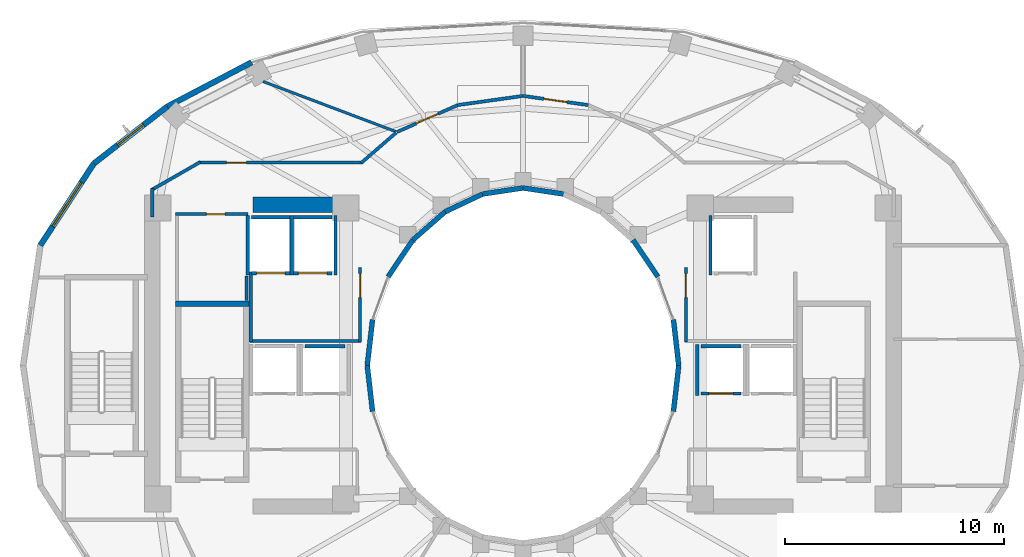
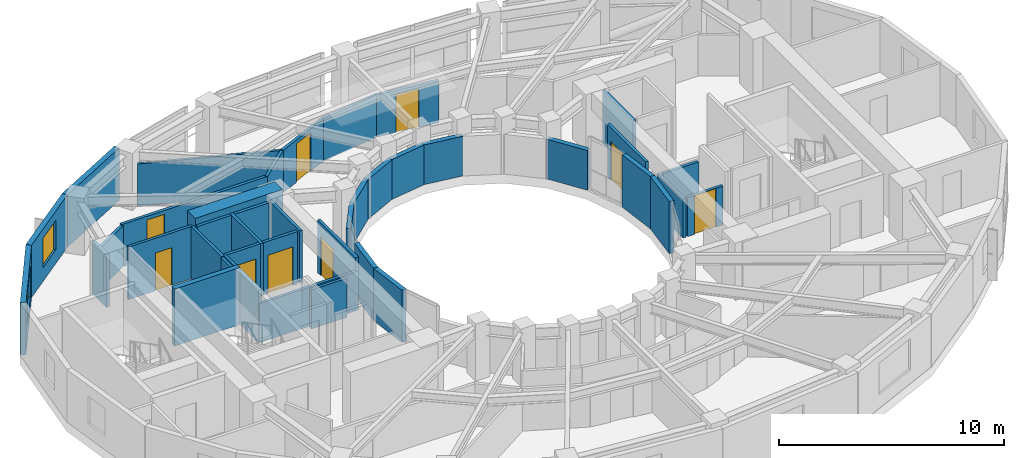
# One storey, part 15 of 20: 41 walls, 9 doors, 2 windows, 11 openings.
"""IFC4 building model written with IfcOpenShell, lengths in metres."""

import ifcopenshell
import ifcopenshell.guid

model = None  # the IFC model being written
_history = None  # IfcOwnerHistory: only IFC2X3 demands one
_inside = {}  # id of a spatial element -> (the spatial element, [elements in it])
_under = {}  # id of a project, library or spatial element -> (it, [spatial elements below it])
_declared = {}  # id of a project -> (the project, [libraries it declares])
_typed = {}  # id of a type object -> (the type object, [elements of that type])
_made_of = {}  # id of a material, layer set ... -> (it, [elements and type objects made of it])


def new_model(schema):
    """Start an empty IFC model of exactly this schema.

    Asked for "IFC4X3", IfcOpenShell would pick the latest addendum, in which some entities
    have other attributes; the version numbers below select the first issue.
    IFC2X3 requires an IfcOwnerHistory on every rooted entity: one is made here for all.
    """
    global model, _history
    if schema == "IFC4X3":
        model = ifcopenshell.file(schema_version=(4, 3, 0, 0))
    else:
        model = ifcopenshell.file(schema=schema)
    _inside.clear()
    _under.clear()
    _declared.clear()
    _typed.clear()
    _made_of.clear()
    _history = None
    if model.schema == "IFC2X3":
        org = make("IfcOrganization", Name="unknown")
        user = make(
            "IfcPersonAndOrganization",
            ThePerson=make("IfcPerson", FamilyName="unknown"),
            TheOrganization=org,
        )
        app = make(
            "IfcApplication",
            ApplicationDeveloper=org,
            Version="unknown",
            ApplicationFullName="unknown",
            ApplicationIdentifier="unknown",
        )
        _history = make(
            "IfcOwnerHistory",
            OwningUser=user,
            OwningApplication=app,
            ChangeAction="ADDED",
            CreationDate=0,
        )
    return model


def make(cls, **values):
    """One entity of the class cls with the attributes given. An attribute that is None is left unset."""
    return model.create_entity(
        cls, **{name: value for name, value in values.items() if value is not None}
    )


def rooted(cls, **values):
    """An entity with a GlobalId (a new one), such as an element, a storey or a relation."""
    return make(cls, GlobalId=ifcopenshell.guid.new(), OwnerHistory=_history, **values)


def si_unit(unit_type, name, prefix=None):
    """IfcSIUnit, for example si_unit("LENGTHUNIT", "METRE", prefix="MILLI")."""
    return make("IfcSIUnit", UnitType=unit_type, Prefix=prefix, Name=name)


def assignment(units):
    """IfcUnitAssignment: the units of a project."""
    return None if units is None else make("IfcUnitAssignment", Units=units)


def point(xyz):
    """IfcCartesianPoint."""
    return None if xyz is None else make("IfcCartesianPoint", Coordinates=xyz)


def direction(xyz):
    """IfcDirection."""
    return None if xyz is None else make("IfcDirection", DirectionRatios=xyz)


def frame(location, z_axis=None, x_axis=None):
    """IfcAxis2Placement3D, a coordinate frame: its origin and axes. An axis left out is left unset."""
    return make(
        "IfcAxis2Placement3D",
        Location=point(location),
        Axis=direction(z_axis),
        RefDirection=direction(x_axis),
    )


def frame_2d(location, x_axis=None):
    """IfcAxis2Placement2D, a coordinate frame in the plane: its origin and x axis."""
    return make(
        "IfcAxis2Placement2D", Location=point(location), RefDirection=direction(x_axis)
    )


def origin():
    """The frame at (0, 0, 0) with its axes left unset."""
    return frame((0.0, 0.0, 0.0))


def place(relative_to, where):
    """IfcLocalPlacement: puts the frame where relative to a parent placement (None: the world)."""
    return make(
        "IfcLocalPlacement", PlacementRelTo=relative_to, RelativePlacement=where
    )


def context(
    kind, dimensions, precision=None, world=None, true_north=None, identifier=None
):
    """IfcGeometricRepresentationContext, for example the 3D "Model" context."""
    return make(
        "IfcGeometricRepresentationContext",
        ContextIdentifier=identifier,
        ContextType=kind,
        CoordinateSpaceDimension=dimensions,
        Precision=precision,
        WorldCoordinateSystem=world,
        TrueNorth=true_north,
    )


def subcontext(parent, identifier, kind, view, scale=None):
    """IfcGeometricRepresentationSubContext, for example "Body" below "Model"."""
    return make(
        "IfcGeometricRepresentationSubContext",
        ContextIdentifier=identifier,
        ContextType=kind,
        ParentContext=parent,
        TargetScale=scale,
        TargetView=view,
    )


def project(units=None, contexts=None):
    """IfcProject with its units and contexts."""
    return rooted(
        "IfcProject",
        Name="project",
        RepresentationContexts=contexts,
        UnitsInContext=assignment(units),
    )


def spatial(cls, under=None, at=None, **own):
    """A site, building, storey or space (cls), placed at a placement, below another one or the project."""
    s = rooted(cls, ObjectPlacement=at, **own)
    if under is not None:
        _under.setdefault(under.id(), (under, []))[1].append(s)
    return s


def profile(cls, at=None, kind="AREA", **sizes):
    """A parametric profile (cls). Its sizes go by their IFC names, for example OverallWidth=200.0."""
    return make(cls, ProfileType=kind, Position=at, **sizes)


def rectangle(**sizes):
    """IfcRectangleProfileDef."""
    return profile("IfcRectangleProfileDef", **sizes)


def extrude(swept, where, along, depth):
    """IfcExtrudedAreaSolid: the profile swept, set in the frame where, extruded along a direction by depth."""
    return make(
        "IfcExtrudedAreaSolid",
        SweptArea=swept,
        Position=where,
        ExtrudedDirection=direction(along),
        Depth=depth,
    )


def shape(context_of_items, identifier, shape_type, items):
    """IfcShapeRepresentation: the items that make up one representation, for example the "Body"."""
    return make(
        "IfcShapeRepresentation",
        ContextOfItems=context_of_items,
        RepresentationIdentifier=identifier,
        RepresentationType=shape_type,
        Items=items,
    )


def material(Name=None, Category=None):
    """IfcMaterial."""
    return make("IfcMaterial", Name=Name, Category=Category)


def layer(
    of_material, thickness, ventilated=None, Name=None, Category=None, Priority=None
):
    """IfcMaterialLayer: one layer of a wall or slab, of a material (None: an air gap)."""
    return make(
        "IfcMaterialLayer",
        Material=of_material,
        LayerThickness=thickness,
        IsVentilated=ventilated,
        Name=Name,
        Category=Category,
        Priority=Priority,
    )


def layer_set(layers, Name=None):
    """IfcMaterialLayerSet."""
    return make("IfcMaterialLayerSet", MaterialLayers=layers, LayerSetName=Name)


def made_of(thing, what):
    """Note that an element or type object is made of a material, layer set ...; save() writes the relation."""
    if what is not None:
        _made_of.setdefault(what.id(), (what, []))[1].append(thing)
    return thing


def type_object(cls, material=None, **own):
    """A type object (cls), such as IfcWallType, which elements share."""
    return made_of(rooted(cls, **own), material)


def element(
    cls,
    number,
    at=None,
    inside=None,
    cuts=None,
    type_object=None,
    material=None,
    context=None,
    identifier="Body",
    shape_type=None,
    held_by="IfcProductDefinitionShape",
    body=None,
    shapes=None,
    **own,
):
    """One element of the class cls, such as IfcWall. Its Tag is "e" and its number.

    at: its placement. inside: the storey or other place that contains it. cuts: it is an
    opening in that element (IfcRelVoidsElement). A single representation is given by context,
    identifier, shape_type and body (its items); several are given by shapes. held_by: the class
    of the entity that holds the representations. save() writes the other relations.
    """
    e = rooted(cls, Tag="e%d" % number, ObjectPlacement=at, **own)
    if body is not None:
        shapes = [shape(context, identifier, shape_type, body)]
    if shapes is not None:
        e.Representation = make(held_by, Representations=shapes)
    if inside is not None:
        _inside.setdefault(inside.id(), (inside, []))[1].append(e)
    if cuts is not None:
        rooted(
            "IfcRelVoidsElement", RelatingBuildingElement=cuts, RelatedOpeningElement=e
        )
    if type_object is not None:
        _typed.setdefault(type_object.id(), (type_object, []))[1].append(e)
    return made_of(e, material)


def fill(opening, filler):
    """IfcRelFillsElement: the door or window that sits in an opening."""
    return rooted(
        "IfcRelFillsElement",
        RelatingOpeningElement=opening,
        RelatedBuildingElement=filler,
    )


def aggregate(whole, parts):
    """IfcRelAggregates: a whole, such as a stair, and the parts it consists of."""
    return rooted("IfcRelAggregates", RelatingObject=whole, RelatedObjects=parts)


def save(model, path):
    """Write the relations noted so far, then the file.

    IfcRelAggregates (storeys below a building ...), IfcRelContainedInSpatialStructure (elements
    in a storey), IfcRelDefinesByType, IfcRelAssociatesMaterial and IfcRelDeclares: one each for
    every whole, place, type object, material and project.
    """
    for whole, parts in _under.values():
        aggregate(whole, parts)
    for where, things in _inside.values():
        rooted(
            "IfcRelContainedInSpatialStructure",
            RelatedElements=things,
            RelatingStructure=where,
        )
    for kind, things in _typed.values():
        rooted("IfcRelDefinesByType", RelatedObjects=things, RelatingType=kind)
    for what, things in _made_of.values():
        rooted("IfcRelAssociatesMaterial", RelatedObjects=things, RelatingMaterial=what)
    for by, libraries in _declared.values():
        rooted("IfcRelDeclares", RelatingContext=by, RelatedDefinitions=libraries)
    model.write(path)


model = new_model("IFC4")

# Units and contexts
model_context = context("Model", 3, precision=1e-05, world=origin(), true_north=direction((0.0, 1.0)))
body_context = subcontext(model_context, "Body", "Model", "MODEL_VIEW")
ifc_project = project(units=[si_unit("LENGTHUNIT", "METRE"), si_unit("AREAUNIT", "SQUARE_METRE"), si_unit("VOLUMEUNIT", "CUBIC_METRE"), si_unit("PLANEANGLEUNIT", "RADIAN"), si_unit("MASSUNIT", "GRAM", prefix="KILO")], contexts=[model_context])

# Site, building, storey
site_placement = place(None, origin())
site = spatial("IfcSite", under=ifc_project, at=site_placement, CompositionType="ELEMENT")
building_placement = place(site_placement, origin())
building = spatial("IfcBuilding", under=site, at=building_placement, Name="Solvane Sanctuary Tower", CompositionType="ELEMENT")
storey_placement = place(building_placement, frame((0.0, 0.0, 137.39990234375)))
storey = spatial("IfcBuildingStorey", under=building, at=storey_placement, Name="L41", CompositionType="ELEMENT", Elevation=137.39990234375)

# Walls
ifc_material_1 = material(Name="Concrete C60/75", Category="concrete")
ifc_layer_1 = layer(ifc_material_1, 0.699951171875, Name="Concrete C60/75")
ifc_layer_set_1 = layer_set([ifc_layer_1], Name="Concrete C60/75")
wall_type_1 = type_object("IfcWallType", Name="Wall W-CORE-700", PredefinedType="SHEAR", material=ifc_layer_set_1)
wall_1_placement = place(storey_placement, frame((19.64990234375, 30.35009765625, 0.0), z_axis=(0.0, 0.0, 1.0), x_axis=(1.0, 0.0, 0.0)))
element("IfcWall", 1, at=wall_1_placement, inside=storey, type_object=wall_type_1, Name="L41 Core Shear Wall WC-N", PredefinedType="SHEAR", context=body_context, shape_type="SweptSolid", body=[
    extrude(rectangle(XDim=4.5, YDim=0.699951171875, at=frame_2d((2.25, 0.0))), origin(), (0.0, 0.0, 1.0), 3.10009765625),
])
ifc_material_2 = material(Name="Acoustic Gypsum Partition Board")
ifc_layer_2 = layer(ifc_material_2, 0.14990234375, Name="Acoustic Gypsum Partition Board")
ifc_layer_set_2 = layer_set([ifc_layer_2], Name="Acoustic Gypsum Partition Board")
wall_type_2 = type_object("IfcWallType", Name="Wall W-CORR-150", PredefinedType="PARTITIONING", material=ifc_layer_set_2)
wall_2_placement = place(storey_placement, frame((19.52001953125, 24.1201171875, 0.0), z_axis=(0.0, 0.0, 1.0), x_axis=(1.0, 0.0, 0.0)))
element("IfcWall", 2, at=wall_2_placement, inside=storey, type_object=wall_type_2, Name="L41 West Firefighting Lobby South Wall", PredefinedType="PARTITIONING", context=body_context, shape_type="SweptSolid", body=[
    extrude(rectangle(XDim=5.080078125, YDim=0.14990234375, at=frame_2d((2.5400390625, 0.0))), origin(), (0.0, 0.0, 1.0), 2.1201171875),
])
wall_3_placement = place(storey_placement, frame((19.550048828125, 24.080078125, 0.0), z_axis=(0.0, 0.0, 1.0), x_axis=(0.0, 1.0, 0.0)))
element("IfcWall", 3, at=wall_3_placement, inside=storey, type_object=wall_type_2, Name="L41 West Firefighting Lobby West Wall", PredefinedType="PARTITIONING", context=body_context, shape_type="SweptSolid", body=[
    extrude(rectangle(XDim=3.199951171875, YDim=0.14990234375, at=frame_2d((1.60009765625, 0.0))), origin(), (0.0, 0.0, 1.0), 2.85498046875),
])

# Wall, opening, door
wall_4_placement = place(storey_placement, frame((24.550048828125, 24.080078125, 0.0), z_axis=(0.0, 0.0, 1.0), x_axis=(0.0, 1.0, 0.0)))
wall_4 = element("IfcWall", 4, at=wall_4_placement, inside=storey, type_object=wall_type_2, Name="L41 West Firefighting Lobby East Wall", PredefinedType="PARTITIONING", context=body_context, shape_type="SweptSolid", body=[
    extrude(rectangle(XDim=3.39990234375, YDim=0.14990234375, at=frame_2d((1.699951171875, 0.0))), origin(), (0.0, 0.0, 1.0), 2.85498046875),
])
opening_1_placement = place(wall_4_placement, frame((2.02001953125, 0.0, 0.0)))
opening_1 = element("IfcOpeningElement", 5, at=opening_1_placement, cuts=wall_4, Name="Opening D-L41-04", PredefinedType="OPENING", context=body_context, shape_type="SweptSolid", body=[
    extrude(rectangle(XDim=1.10009765625, YDim=2.10009765625, at=frame_2d((0.550048828125, 1.050048828125))), frame((0.0, 0.0849609375, 0.0), z_axis=(0.0, -1.0, 0.0), x_axis=(1.0, 0.0, 0.0)), (0.0, 0.0, 1.0), 0.169921875),
])
ifc_material_3 = material(Name="Architectural Stainless Steel 316", Category="steel")
door_type_1 = type_object("IfcDoorType", Name="Door D-FFL", OperationType="NOTDEFINED", PredefinedType="DOOR", material=ifc_material_3)
door_1_placement = place(opening_1_placement, origin())
door_1 = element("IfcDoor", 6, at=door_1_placement, inside=storey, type_object=door_type_1, Name="L41 West Firefighting Lobby Fire Door", OperationType="SINGLE_SWING_RIGHT", OverallHeight=2.10009765625, OverallWidth=1.10009765625, PredefinedType="DOOR", context=body_context, shape_type="SweptSolid", body=[
    extrude(rectangle(XDim=1.10009765625, YDim=2.10009765625, at=frame_2d((0.550048828125, 1.050048828125))), frame((0.0, 0.02490234375, 0.0), z_axis=(0.0, -1.0, 0.0), x_axis=(1.0, 0.0, 0.0)), (0.0, 0.0, 1.0), 0.050048828125),
])
fill(opening_1, door_1)

wall_5_placement = place(storey_placement, frame((39.449951171875, 24.080078125, 0.0), z_axis=(0.0, 0.0, 1.0), x_axis=(0.0, 1.0, 0.0)))
wall_5 = element("IfcWall", 7, at=wall_5_placement, inside=storey, type_object=wall_type_2, Name="L41 East Firefighting Lobby West Wall", PredefinedType="PARTITIONING", context=body_context, shape_type="SweptSolid", body=[
    extrude(rectangle(XDim=3.39990234375, YDim=0.14990234375, at=frame_2d((1.699951171875, 0.0))), origin(), (0.0, 0.0, 1.0), 2.85498046875),
])
opening_2_placement = place(wall_5_placement, frame((2.02001953125, 0.0, 0.0)))
opening_2 = element("IfcOpeningElement", 8, at=opening_2_placement, cuts=wall_5, Name="Opening D-L41-05", PredefinedType="OPENING", context=body_context, shape_type="SweptSolid", body=[
    extrude(rectangle(XDim=1.10009765625, YDim=2.10009765625, at=frame_2d((0.550048828125, 1.050048828125))), frame((0.0, 0.0849609375, 0.0), z_axis=(0.0, -1.0, 0.0), x_axis=(1.0, 0.0, 0.0)), (0.0, 0.0, 1.0), 0.169921875),
])
door_2_placement = place(opening_2_placement, origin())
door_2 = element("IfcDoor", 9, at=door_2_placement, inside=storey, type_object=door_type_1, Name="L41 East Firefighting Lobby Fire Door", OperationType="SINGLE_SWING_LEFT", OverallHeight=2.10009765625, OverallWidth=1.10009765625, PredefinedType="DOOR", context=body_context, shape_type="SweptSolid", body=[
    extrude(rectangle(XDim=1.10009765625, YDim=2.10009765625, at=frame_2d((0.550048828125, 1.050048828125))), frame((0.0, 0.02490234375, 0.0), z_axis=(0.0, -1.0, 0.0), x_axis=(1.0, 0.0, 0.0)), (0.0, 0.0, 1.0), 0.050048828125),
])
fill(opening_2, door_2)

# Walls
wall_6_placement = place(storey_placement, frame((15.050048828125, 29.800048828125, 0.0), z_axis=(0.0, 0.0, 1.0), x_axis=(0.0, 1.0, 0.0)))
element("IfcWall", 10, at=wall_6_placement, inside=storey, type_object=wall_type_2, Name="L41 NW Corner Closer 2", PredefinedType="PARTITIONING", context=body_context, shape_type="SweptSolid", body=[
    extrude(rectangle(XDim=1.2900390625, YDim=0.14990234375, at=frame_2d((0.64501953125, 0.0))), origin(), (0.0, 0.0, 1.0), 2.85498046875),
])
wall_7_placement = place(storey_placement, frame((26.193359375, 33.64208984375, 0.0), z_axis=(0.0, 0.0, 1.0), x_axis=(-0.756055312247, -0.654507727092, 0.0)))
element("IfcWall", 11, at=wall_7_placement, inside=storey, type_object=wall_type_2, Name="L41 NW Corner Throat Wall", PredefinedType="PARTITIONING", context=body_context, shape_type="SweptSolid", body=[
    extrude(rectangle(XDim=2.11083984375, YDim=0.14990234375, at=frame_2d((1.055419921875, 0.0))), origin(), (0.0, 0.0, 1.0), 2.299072265625),
])

# Wall, opening, door
wall_8_placement = place(storey_placement, frame((17.14990234375, 32.280029296875, 0.0), z_axis=(0.0, 0.0, 1.0), x_axis=(1.0, 0.0, 0.0)))
wall_8 = element("IfcWall", 12, at=wall_8_placement, inside=storey, type_object=wall_type_2, Name="L41 NW Corner Corridor Wall", PredefinedType="PARTITIONING", context=body_context, shape_type="SweptSolid", body=[
    extrude(rectangle(XDim=7.52001953125, YDim=0.14990234375, at=frame_2d((3.760009765625, 0.0))), origin(), (0.0, 0.0, 1.0), 2.299072265625),
])
opening_3_placement = place(wall_8_placement, frame((1.300048828125, 0.0, 0.0)))
opening_3 = element("IfcOpeningElement", 13, at=opening_3_placement, cuts=wall_8, Name="Opening D-L41-12", PredefinedType="OPENING", context=body_context, shape_type="SweptSolid", body=[
    extrude(rectangle(XDim=0.89990234375, YDim=2.10009765625, at=frame_2d((0.449951171875, 1.050048828125))), frame((0.0, 0.0849609375, 0.0), z_axis=(0.0, -1.0, 0.0), x_axis=(1.0, 0.0, 0.0)), (0.0, 0.0, 1.0), 0.169921875),
])
ifc_material_4 = material(Name="Engineered Tropical Hardwood", Category="wood")
door_type_2 = type_object("IfcDoorType", Name="Door D-WET-900", OperationType="NOTDEFINED", PredefinedType="DOOR", material=ifc_material_4)
door_3_placement = place(opening_3_placement, origin())
door_3 = element("IfcDoor", 14, at=door_3_placement, inside=storey, type_object=door_type_2, Name="L41 NW Corner Salon Door", OperationType="SINGLE_SWING_RIGHT", OverallHeight=2.10009765625, OverallWidth=0.89990234375, PredefinedType="DOOR", context=body_context, shape_type="SweptSolid", body=[
    extrude(rectangle(XDim=0.89990234375, YDim=2.10009765625, at=frame_2d((0.449951171875, 1.050048828125))), frame((0.0, 0.02490234375, 0.0), z_axis=(0.0, -1.0, 0.0), x_axis=(1.0, 0.0, 0.0)), (0.0, 0.0, 1.0), 0.050048828125),
])
fill(opening_3, door_3)

# Wall
wall_9_placement = place(storey_placement, frame((17.243408203125, 32.3046875, 0.0), z_axis=(0.0, 0.0, 1.0), x_axis=(-0.867991349648, -0.496579315857, 0.0)))
element("IfcWall", 15, at=wall_9_placement, inside=storey, type_object=wall_type_2, Name="L41 NW Corner Wing Wall", PredefinedType="PARTITIONING", context=body_context, shape_type="SweptSolid", body=[
    extrude(rectangle(XDim=2.56689453125, YDim=0.14990234375, at=frame_2d((1.283447265625, 0.0))), origin(), (0.0, 0.0, 1.0), 2.22021484375),
])

# Wall, opening, door
wall_10_placement = place(storey_placement, frame((34.986083984375, 34.9091796875, 0.0), z_axis=(0.0, 0.0, 1.0), x_axis=(-0.990263536759, 0.139205343882, 0.0)))
wall_10 = element("IfcWall", 16, at=wall_10_placement, inside=storey, type_object=wall_type_2, Name="L41 Sky Promenade Corridor Wall N1", PredefinedType="PARTITIONING", context=body_context, shape_type="SweptSolid", body=[
    extrude(rectangle(XDim=3.023681640625, YDim=0.14990234375, at=frame_2d((1.51171875, 0.0))), origin(), (0.0, 0.0, 1.0), 2.299072265625),
])
opening_4_placement = place(wall_10_placement, frame((0.9619140625, 0.0, 0.0)))
opening_4 = element("IfcOpeningElement", 17, at=opening_4_placement, cuts=wall_10, Name="Opening D-L41-18", PredefinedType="OPENING", context=body_context, shape_type="SweptSolid", body=[
    extrude(rectangle(XDim=1.10009765625, YDim=2.10009765625, at=frame_2d((0.550048828125, 1.050048828125))), frame((0.0, 0.0849609375, 0.0), z_axis=(0.0, -1.0, 0.0), x_axis=(1.0, 0.0, 0.0)), (0.0, 0.0, 1.0), 0.169921875),
])
door_4_placement = place(opening_4_placement, origin())
door_4 = element("IfcDoor", 18, at=door_4_placement, inside=storey, type_object=door_type_1, Name="L41 Sky Hall Entrance Door N1", OperationType="SINGLE_SWING_RIGHT", OverallHeight=2.10009765625, OverallWidth=1.10009765625, PredefinedType="DOOR", context=body_context, shape_type="SweptSolid", body=[
    extrude(rectangle(XDim=1.10009765625, YDim=2.10009765625, at=frame_2d((0.550048828125, 1.050048828125))), frame((0.0, 0.02490234375, 0.0), z_axis=(0.0, -1.0, 0.0), x_axis=(1.0, 0.0, 0.0)), (0.0, 0.0, 1.0), 0.050048828125),
])
fill(opening_4, door_4)

# Wall
wall_11_placement = place(storey_placement, frame((32.008056640625, 35.330078125, 0.0), z_axis=(0.0, 0.0, 1.0), x_axis=(-0.990263536759, -0.139205343882, 0.0)))
element("IfcWall", 19, at=wall_11_placement, inside=storey, type_object=wall_type_2, Name="L41 Sky Promenade Corridor Wall N2", PredefinedType="PARTITIONING", context=body_context, shape_type="SweptSolid", body=[
    extrude(rectangle(XDim=3.023681640625, YDim=0.14990234375, at=frame_2d((1.51171875, 0.0))), origin(), (0.0, 0.0, 1.0), 2.299072265625),
])

# Wall, opening, door
wall_12_placement = place(storey_placement, frame((29.017822265625, 34.910400390625, 0.0), z_axis=(0.0, 0.0, 1.0), x_axis=(-0.914216890927, -0.405225216815, 0.0)))
wall_12 = element("IfcWall", 20, at=wall_12_placement, inside=storey, type_object=wall_type_2, Name="L41 Sky Promenade Corridor Wall N2", PredefinedType="PARTITIONING", context=body_context, shape_type="SweptSolid", body=[
    extrude(rectangle(XDim=3.051513671875, YDim=0.14990234375, at=frame_2d((1.52587890625, 0.0))), origin(), (0.0, 0.0, 1.0), 2.299072265625),
])
opening_5_placement = place(wall_12_placement, frame((0.975830078125, 0.0, 0.0)))
opening_5 = element("IfcOpeningElement", 21, at=opening_5_placement, cuts=wall_12, Name="Opening D-L41-19", PredefinedType="OPENING", context=body_context, shape_type="SweptSolid", body=[
    extrude(rectangle(XDim=1.10009765625, YDim=2.10009765625, at=frame_2d((0.550048828125, 1.050048828125))), frame((0.0, 0.0849609375, 0.0), z_axis=(0.0, -1.0, 0.0), x_axis=(1.0, 0.0, 0.0)), (0.0, 0.0, 1.0), 0.169921875),
])
door_5_placement = place(opening_5_placement, origin())
door_5 = element("IfcDoor", 22, at=door_5_placement, inside=storey, type_object=door_type_1, Name="L41 Sky Hall Entrance Door N2", OperationType="SINGLE_SWING_LEFT", OverallHeight=2.10009765625, OverallWidth=1.10009765625, PredefinedType="DOOR", context=body_context, shape_type="SweptSolid", body=[
    extrude(rectangle(XDim=1.10009765625, YDim=2.10009765625, at=frame_2d((0.550048828125, 1.050048828125))), frame((0.0, 0.02490234375, 0.0), z_axis=(0.0, -1.0, 0.0), x_axis=(1.0, 0.0, 0.0)), (0.0, 0.0, 1.0), 0.050048828125),
])
fill(opening_5, door_5)

# Wall
ifc_material_5 = material(Name="Precast concrete C40/50", Category="concrete")
ifc_layer_3 = layer(ifc_material_5, 0.260009765625, Name="Precast concrete C40/50")
ifc_layer_set_3 = layer_set([ifc_layer_3], Name="Precast concrete C40/50")
wall_type_3 = type_object("IfcWallType", Name="Wall W-EXT-250", PredefinedType="STANDARD", material=ifc_layer_set_3)
wall_13_placement = place(storey_placement, frame((19.5869140625, 36.86328125, 0.0), z_axis=(0.0, 0.0, 1.0), x_axis=(-0.885660265226, -0.464333818065, 0.0)))
element("IfcWall", 23, at=wall_13_placement, inside=storey, type_object=wall_type_3, Name="L41 Ceramic-Printed Facade Wall 08", PredefinedType="STANDARD", context=body_context, shape_type="SweptSolid", body=[
    extrude(rectangle(XDim=4.35400390625, YDim=0.260009765625, at=frame_2d((2.177001953125, 0.0))), origin(), (0.0, 0.0, 1.0), 2.85009765625),
])

# Wall, opening, window
wall_14_placement = place(storey_placement, frame((15.730712890625, 34.841552734375, 0.0), z_axis=(0.0, 0.0, 1.0), x_axis=(-0.790185650662, -0.612867552973, 0.0)))
wall_14 = element("IfcWall", 24, at=wall_14_placement, inside=storey, type_object=wall_type_3, Name="L41 Ceramic-Printed Facade Wall 09", PredefinedType="STANDARD", context=body_context, shape_type="SweptSolid", body=[
    extrude(rectangle(XDim=4.2392578125, YDim=0.260009765625, at=frame_2d((2.11962890625, 0.0))), origin(), (0.0, 0.0, 1.0), 2.85009765625),
])
opening_6_placement = place(wall_14_placement, frame((1.36962890625, 0.0, 0.75)))
opening_6 = element("IfcOpeningElement", 25, at=opening_6_placement, cuts=wall_14, Name="Opening WN-OPER-1500", PredefinedType="OPENING", context=body_context, shape_type="SweptSolid", body=[
    extrude(rectangle(XDim=1.5, YDim=1.60009765625, at=frame_2d((0.75, 0.800048828125))), frame((0.0, 0.139892578125, 0.0), z_axis=(0.0, -1.0, 0.0), x_axis=(1.0, 0.0, 0.0)), (0.0, 0.0, 1.0), 0.280029296875),
])
ifc_material_6 = material(Name="Dark Ceramic-Fritted Low-E Glass", Category="glass")
window_type_1 = type_object("IfcWindowType", Name="Window WN-OPER-1500", PartitioningType="SINGLE_PANEL", PredefinedType="WINDOW", material=ifc_material_6)
window_1_placement = place(opening_6_placement, origin())
window_1 = element("IfcWindow", 26, at=window_1_placement, inside=storey, type_object=window_type_1, Name="L41 Operable Facade Window 09", OverallHeight=1.60009765625, OverallWidth=1.5, PartitioningType="SINGLE_PANEL", PredefinedType="WINDOW", context=body_context, shape_type="SweptSolid", body=[
    extrude(rectangle(XDim=1.5, YDim=1.60009765625, at=frame_2d((0.75, 0.800048828125))), frame((0.0, 0.030029296875, 0.0), z_axis=(0.0, -1.0, 0.0), x_axis=(1.0, 0.0, 0.0)), (0.0, 0.0, 1.0), 0.06005859375),
])
fill(opening_6, window_1)

wall_15_placement = place(storey_placement, frame((12.380859375, 32.243408203125, 0.0), z_axis=(0.0, 0.0, 1.0), x_axis=(-0.547456494366, -0.836834145322, 0.0)))
wall_15 = element("IfcWall", 27, at=wall_15_placement, inside=storey, type_object=wall_type_3, Name="L41 Ceramic-Printed Facade Wall 10", PredefinedType="STANDARD", context=body_context, shape_type="SweptSolid", body=[
    extrude(rectangle(XDim=4.477294921875, YDim=0.260009765625, at=frame_2d((2.23876953125, 0.0))), origin(), (0.0, 0.0, 1.0), 2.85009765625),
])
opening_7_placement = place(wall_15_placement, frame((1.038818359375, 0.0, 0.75)))
opening_7 = element("IfcOpeningElement", 28, at=opening_7_placement, cuts=wall_15, Name="Opening WN-RIB-2400", PredefinedType="OPENING", context=body_context, shape_type="SweptSolid", body=[
    extrude(rectangle(XDim=2.39990234375, YDim=1.699951171875, at=frame_2d((1.199951171875, 0.85009765625))), frame((0.0, 0.139892578125, 0.0), z_axis=(0.0, -1.0, 0.0), x_axis=(1.0, 0.0, 0.0)), (0.0, 0.0, 1.0), 0.280029296875),
])
window_type_2 = type_object("IfcWindowType", Name="Window WN-RIB-2400", PartitioningType="SINGLE_PANEL", PredefinedType="WINDOW", material=ifc_material_6)
window_2_placement = place(opening_7_placement, origin())
window_2 = element("IfcWindow", 29, at=window_2_placement, inside=storey, type_object=window_type_2, Name="L41 Operable Facade Window 10", OverallHeight=1.699951171875, OverallWidth=2.39990234375, PartitioningType="SINGLE_PANEL", PredefinedType="WINDOW", context=body_context, shape_type="SweptSolid", body=[
    extrude(rectangle(XDim=2.39990234375, YDim=1.699951171875, at=frame_2d((1.199951171875, 0.85009765625))), frame((0.0, 0.030029296875, 0.0), z_axis=(0.0, -1.0, 0.0), x_axis=(1.0, 0.0, 0.0)), (0.0, 0.0, 1.0), 0.06005859375),
])
fill(opening_7, window_2)

# Walls
ifc_layer_4 = layer(ifc_material_5, 0.22998046875, Name="Precast concrete C40/50")
ifc_layer_set_4 = layer_set([ifc_layer_4], Name="Precast concrete C40/50")
wall_type_4 = type_object("IfcWallType", Name="Wall W-EXT-SP220", PredefinedType="STANDARD", material=ifc_layer_set_4)
wall_16_placement = place(storey_placement, frame((39.1201171875, 23.0, 0.0), z_axis=(0.0, 0.0, 1.0), x_axis=(-0.114711713601, 0.993398823617, 0.0)))
element("IfcWall", 30, at=wall_16_placement, inside=storey, type_object=wall_type_4, Name="L41 Central Light-Well Wall 00", PredefinedType="STANDARD", context=body_context, shape_type="SweptSolid", body=[
    extrude(rectangle(XDim=2.115478515625, YDim=0.22998046875, at=frame_2d((1.0576171875, 0.0))), origin(), (0.0, 0.0, 1.0), 2.840087890625),
])
wall_17_placement = place(storey_placement, frame((38.166015625, 27.06005859375, 0.0), z_axis=(0.0, 0.0, 1.0), x_axis=(-0.558197800898, 0.829707909492, 0.0)))
element("IfcWall", 31, at=wall_17_placement, inside=storey, type_object=wall_type_4, Name="L41 Central Light-Well Wall 02", PredefinedType="STANDARD", context=body_context, shape_type="SweptSolid", body=[
    extrude(rectangle(XDim=2.02685546875, YDim=0.22998046875, at=frame_2d((1.013427734375, 0.0))), origin(), (0.0, 0.0, 1.0), 2.16015625),
])
for number, where, z_axis, x_axis, name in (
    (32, (33.8427734375, 30.84326171875, 0.0), (0.0, 0.0, 1.0), (-0.988901730308, 0.148571086668, 0.0), "L41 Central Light-Well Wall 05"),
    (33, (32.0, 31.1201171875, 0.0), (0.0, 0.0, 1.0), (-0.988901730308, -0.148571086668, 0.0), "L41 Central Light-Well Wall 06"),
):
    element("IfcWall", number, at=place(storey_placement, frame(where, z_axis=z_axis, x_axis=x_axis)), inside=storey, type_object=wall_type_4, Name=name, PredefinedType="STANDARD", context=body_context, shape_type="SweptSolid", body=[
        extrude(rectangle(XDim=1.863525390625, YDim=0.22998046875, at=frame_2d((0.931640625, 0.0))), origin(), (0.0, 0.0, 1.0), 2.16015625),
    ])
wall_18_placement = place(storey_placement, frame((30.1572265625, 30.84326171875, 0.0), z_axis=(0.0, 0.0, 1.0), x_axis=(-0.904179699603, -0.427152280606, 0.0)))
element("IfcWall", 34, at=wall_18_placement, inside=storey, type_object=wall_type_4, Name="L41 Central Light-Well Wall 07", PredefinedType="STANDARD", context=body_context, shape_type="SweptSolid", body=[
    extrude(rectangle(XDim=1.899169921875, YDim=0.22998046875, at=frame_2d((0.94970703125, 0.0))), origin(), (0.0, 0.0, 1.0), 2.16015625),
])
wall_19_placement = place(storey_placement, frame((28.43994140625, 30.031982421875, 0.0), z_axis=(0.0, 0.0, 1.0), x_axis=(-0.752576694707, -0.658504607869, 0.0)))
element("IfcWall", 35, at=wall_19_placement, inside=storey, type_object=wall_type_4, Name="L41 Central Light-Well Wall 08", PredefinedType="STANDARD", context=body_context, shape_type="SweptSolid", body=[
    extrude(rectangle(XDim=1.95947265625, YDim=0.22998046875, at=frame_2d((0.979736328125, 0.0))), origin(), (0.0, 0.0, 1.0), 2.16015625),
])
wall_20_placement = place(storey_placement, frame((26.96533203125, 28.74169921875, 0.0), z_axis=(0.0, 0.0, 1.0), x_axis=(-0.558197800898, -0.829707909492, 0.0)))
element("IfcWall", 36, at=wall_20_placement, inside=storey, type_object=wall_type_4, Name="L41 Central Light-Well Wall 09", PredefinedType="STANDARD", context=body_context, shape_type="SweptSolid", body=[
    extrude(rectangle(XDim=2.02685546875, YDim=0.22998046875, at=frame_2d((1.013427734375, 0.0))), origin(), (0.0, 0.0, 1.0), 2.16015625),
])
for number, where, z_axis, x_axis, name in (
    (37, (25.12255859375, 25.1015625, 0.0), (0.0, 0.0, 1.0), (-0.114711713601, -0.993398823617, 0.0), "L41 Central Light-Well Wall 11"),
    (38, (24.8798828125, 23.0, 0.0), (0.0, 0.0, 1.0), (0.114711713601, -0.993398823617, 0.0), "L41 Central Light-Well Wall 12"),
    (39, (38.87744140625, 20.8984375, 0.0), (0.0, 0.0, 1.0), (0.114711713601, 0.993398823617, 0.0), "L41 Central Light-Well Wall 23"),
):
    element("IfcWall", number, at=place(storey_placement, frame(where, z_axis=z_axis, x_axis=x_axis)), inside=storey, type_object=wall_type_4, Name=name, PredefinedType="STANDARD", context=body_context, shape_type="SweptSolid", body=[
        extrude(rectangle(XDim=2.115478515625, YDim=0.22998046875, at=frame_2d((1.0576171875, 0.0))), origin(), (0.0, 0.0, 1.0), 2.840087890625),
    ])
ifc_layer_5 = layer(ifc_material_2, 0.1201171875, Name="Acoustic Gypsum Partition Board")
ifc_layer_set_5 = layer_set([ifc_layer_5], Name="Acoustic Gypsum Partition Board")
wall_type_5 = type_object("IfcWallType", Name="Wall W-MOV-100", PredefinedType="MOVABLE", material=ifc_layer_set_5)
wall_21_placement = place(storey_placement, frame((26.18359375, 33.697509765625, 0.0), z_axis=(0.0, 0.0, 1.0), x_axis=(-0.935601484289, 0.353057874288, 0.0)))
element("IfcWall", 40, at=wall_21_placement, inside=storey, type_object=wall_type_5, Name="L41 Sky Hall Radial Partition 120", PredefinedType="MOVABLE", context=body_context, shape_type="SweptSolid", body=[
    extrude(rectangle(XDim=6.484130859375, YDim=0.1201171875, at=frame_2d((3.2421875, 0.0))), origin(), (0.0, 0.0, 1.0), 2.299072265625),
])
ifc_material_7 = material(Name="Concrete C50/60", Category="concrete")
ifc_layer_6 = layer(ifc_material_7, 0.14990234375, Name="Concrete C50/60")
ifc_layer_set_6 = layer_set([ifc_layer_6], Name="Concrete C50/60")
wall_type_6 = type_object("IfcWallType", Name="Wall W-SHAFT-150", PredefinedType="SOLIDWALL", material=ifc_layer_set_6)
wall_22_placement = place(storey_placement, frame((22.0400390625, 23.8798828125, 0.0), z_axis=(0.0, 0.0, 1.0), x_axis=(1.0, 0.0, 0.0)))
element("IfcWall", 41, at=wall_22_placement, inside=storey, type_object=wall_type_6, Name="L41 PH-1 Lift Shaft Wall B", PredefinedType="SOLIDWALL", context=body_context, shape_type="SweptSolid", body=[
    extrude(rectangle(XDim=1.820068359375, YDim=0.14990234375, at=frame_2d((0.91015625, 0.0))), origin(), (0.0, 0.0, 1.0), 2.1201171875),
])

# Wall, opening, door
wall_23_placement = place(storey_placement, frame((40.139892578125, 21.719970703125, 0.0), z_axis=(0.0, 0.0, 1.0), x_axis=(1.0, 0.0, 0.0)))
wall_23 = element("IfcWall", 42, at=wall_23_placement, inside=storey, type_object=wall_type_6, Name="L41 PH-2 Lift Shaft Wall F", PredefinedType="SOLIDWALL", context=body_context, shape_type="SweptSolid", body=[
    extrude(rectangle(XDim=1.820068359375, YDim=0.14990234375, at=frame_2d((0.91015625, 0.0))), origin(), (0.0, 0.0, 1.0), 2.1201171875),
])
opening_8_placement = place(wall_23_placement, frame((0.360107421875, 0.0, 0.0)))
opening_8 = element("IfcOpeningElement", 43, at=opening_8_placement, cuts=wall_23, Name="Opening LD-L41-04", PredefinedType="OPENING", context=body_context, shape_type="SweptSolid", body=[
    extrude(rectangle(XDim=1.10009765625, YDim=2.10009765625, at=frame_2d((0.550048828125, 1.050048828125))), frame((0.0, 0.0849609375, 0.0), z_axis=(0.0, -1.0, 0.0), x_axis=(1.0, 0.0, 0.0)), (0.0, 0.0, 1.0), 0.169921875),
])
door_type_3 = type_object("IfcDoorType", Name="Door LD-PASS-1100", OperationType="NOTDEFINED", PredefinedType="DOOR", material=ifc_material_3)
door_6_placement = place(opening_8_placement, origin())
door_6 = element("IfcDoor", 44, at=door_6_placement, inside=storey, type_object=door_type_3, Name="L41 PH-2 Lift Landing Door", OperationType="DOUBLE_DOOR_SLIDING", OverallHeight=2.10009765625, OverallWidth=1.10009765625, PredefinedType="DOOR", context=body_context, shape_type="SweptSolid", body=[
    extrude(rectangle(XDim=1.10009765625, YDim=2.10009765625, at=frame_2d((0.550048828125, 1.050048828125))), frame((0.0, 0.02490234375, 0.0), z_axis=(0.0, -1.0, 0.0), x_axis=(1.0, 0.0, 0.0)), (0.0, 0.0, 1.0), 0.050048828125),
])
fill(opening_8, door_6)

# Walls
wall_24_placement = place(storey_placement, frame((40.139892578125, 23.8798828125, 0.0), z_axis=(0.0, 0.0, 1.0), x_axis=(1.0, 0.0, 0.0)))
element("IfcWall", 45, at=wall_24_placement, inside=storey, type_object=wall_type_6, Name="L41 PH-2 Lift Shaft Wall B", PredefinedType="SOLIDWALL", context=body_context, shape_type="SweptSolid", body=[
    extrude(rectangle(XDim=1.820068359375, YDim=0.14990234375, at=frame_2d((0.91015625, 0.0))), origin(), (0.0, 0.0, 1.0), 2.1201171875),
])
wall_25_placement = place(storey_placement, frame((39.969970703125, 21.639892578125, 0.0), z_axis=(0.0, 0.0, 1.0), x_axis=(0.0, 1.0, 0.0)))
element("IfcWall", 46, at=wall_25_placement, inside=storey, type_object=wall_type_6, Name="L41 PH-2 Lift Shaft Wall S1", PredefinedType="SOLIDWALL", context=body_context, shape_type="SweptSolid", body=[
    extrude(rectangle(XDim=2.320068359375, YDim=0.14990234375, at=frame_2d((1.16015625, 0.0))), origin(), (0.0, 0.0, 1.0), 2.1201171875),
])

# Wall, opening, door
wall_26_placement = place(storey_placement, frame((19.590087890625, 27.219970703125, 0.0), z_axis=(0.0, 0.0, 1.0), x_axis=(1.0, 0.0, 0.0)))
wall_26 = element("IfcWall", 47, at=wall_26_placement, inside=storey, type_object=wall_type_6, Name="L41 FFL-1 Lift Shaft Wall F", PredefinedType="SOLIDWALL", context=body_context, shape_type="SweptSolid", body=[
    extrude(rectangle(XDim=1.760009765625, YDim=0.14990234375, at=frame_2d((0.8798828125, 0.0))), origin(), (0.0, 0.0, 1.0), 2.85498046875),
])
opening_9_placement = place(wall_26_placement, frame((0.22998046875, 0.0, 0.0)))
opening_9 = element("IfcOpeningElement", 48, at=opening_9_placement, cuts=wall_26, Name="Opening LD-L41-05", PredefinedType="OPENING", context=body_context, shape_type="SweptSolid", body=[
    extrude(rectangle(XDim=1.300048828125, YDim=2.10009765625, at=frame_2d((0.64990234375, 1.050048828125))), frame((0.0, 0.0849609375, 0.0), z_axis=(0.0, -1.0, 0.0), x_axis=(1.0, 0.0, 0.0)), (0.0, 0.0, 1.0), 0.169921875),
])
door_type_4 = type_object("IfcDoorType", Name="Door LD-FFL-1300", OperationType="NOTDEFINED", PredefinedType="DOOR", material=ifc_material_3)
door_7_placement = place(opening_9_placement, origin())
door_7 = element("IfcDoor", 49, at=door_7_placement, inside=storey, type_object=door_type_4, Name="L41 FFL-1 Lift Landing Door", OperationType="DOUBLE_DOOR_SLIDING", OverallHeight=2.10009765625, OverallWidth=1.300048828125, PredefinedType="DOOR", context=body_context, shape_type="SweptSolid", body=[
    extrude(rectangle(XDim=1.300048828125, YDim=2.10009765625, at=frame_2d((0.64990234375, 1.050048828125))), frame((0.0, 0.02490234375, 0.0), z_axis=(0.0, -1.0, 0.0), x_axis=(1.0, 0.0, 0.0)), (0.0, 0.0, 1.0), 0.050048828125),
])
fill(opening_9, door_7)

# Walls
wall_27_placement = place(storey_placement, frame((19.590087890625, 29.780029296875, 0.0), z_axis=(0.0, 0.0, 1.0), x_axis=(1.0, 0.0, 0.0)))
element("IfcWall", 50, at=wall_27_placement, inside=storey, type_object=wall_type_6, Name="L41 FFL-1 Lift Shaft Wall B", PredefinedType="SOLIDWALL", context=body_context, shape_type="SweptSolid", body=[
    extrude(rectangle(XDim=1.760009765625, YDim=0.14990234375, at=frame_2d((0.8798828125, 0.0))), origin(), (0.0, 0.0, 1.0), 2.85498046875),
])
for number, where, z_axis, x_axis, name in (
    (51, (19.419921875, 27.139892578125, 0.0), (0.0, 0.0, 1.0), (0.0, 1.0, 0.0), "L41 FFL-1 Lift Shaft Wall S1"),
    (52, (21.425048828125, 27.139892578125, 0.0), (0.0, 0.0, 1.0), (0.0, 1.0, 0.0), "L41 FFL-1 Lift Shaft Wall S2"),
):
    element("IfcWall", number, at=place(storey_placement, frame(where, z_axis=z_axis, x_axis=x_axis)), inside=storey, type_object=wall_type_6, Name=name, PredefinedType="SOLIDWALL", context=body_context, shape_type="SweptSolid", body=[
        extrude(rectangle(XDim=2.72021484375, YDim=0.14990234375, at=frame_2d((1.360107421875, 0.0))), origin(), (0.0, 0.0, 1.0), 2.85498046875),
    ])

# Wall, opening, door
wall_28_placement = place(storey_placement, frame((21.5, 27.219970703125, 0.0), z_axis=(0.0, 0.0, 1.0), x_axis=(1.0, 0.0, 0.0)))
wall_28 = element("IfcWall", 53, at=wall_28_placement, inside=storey, type_object=wall_type_6, Name="L41 SVL-1 Lift Shaft Wall F", PredefinedType="SOLIDWALL", context=body_context, shape_type="SweptSolid", body=[
    extrude(rectangle(XDim=1.760009765625, YDim=0.14990234375, at=frame_2d((0.8798828125, 0.0))), origin(), (0.0, 0.0, 1.0), 2.85498046875),
])
opening_10_placement = place(wall_28_placement, frame((0.22998046875, 0.0, 0.0)))
opening_10 = element("IfcOpeningElement", 54, at=opening_10_placement, cuts=wall_28, Name="Opening LD-L41-06", PredefinedType="OPENING", context=body_context, shape_type="SweptSolid", body=[
    extrude(rectangle(XDim=1.300048828125, YDim=2.10009765625, at=frame_2d((0.64990234375, 1.050048828125))), frame((0.0, 0.0849609375, 0.0), z_axis=(0.0, -1.0, 0.0), x_axis=(1.0, 0.0, 0.0)), (0.0, 0.0, 1.0), 0.169921875),
])
door_8_placement = place(opening_10_placement, origin())
door_8 = element("IfcDoor", 55, at=door_8_placement, inside=storey, type_object=door_type_4, Name="L41 SVL-1 Lift Landing Door", OperationType="DOUBLE_DOOR_SLIDING", OverallHeight=2.10009765625, OverallWidth=1.300048828125, PredefinedType="DOOR", context=body_context, shape_type="SweptSolid", body=[
    extrude(rectangle(XDim=1.300048828125, YDim=2.10009765625, at=frame_2d((0.64990234375, 1.050048828125))), frame((0.0, 0.02490234375, 0.0), z_axis=(0.0, -1.0, 0.0), x_axis=(1.0, 0.0, 0.0)), (0.0, 0.0, 1.0), 0.050048828125),
])
fill(opening_10, door_8)

# Walls
wall_29_placement = place(storey_placement, frame((21.5, 29.780029296875, 0.0), z_axis=(0.0, 0.0, 1.0), x_axis=(1.0, 0.0, 0.0)))
element("IfcWall", 56, at=wall_29_placement, inside=storey, type_object=wall_type_6, Name="L41 SVL-1 Lift Shaft Wall B", PredefinedType="SOLIDWALL", context=body_context, shape_type="SweptSolid", body=[
    extrude(rectangle(XDim=1.760009765625, YDim=0.14990234375, at=frame_2d((0.8798828125, 0.0))), origin(), (0.0, 0.0, 1.0), 2.85498046875),
])
for number, where, z_axis, x_axis, name in (
    (57, (23.429931640625, 27.139892578125, 0.0), (0.0, 0.0, 1.0), (0.0, 1.0, 0.0), "L41 SVL-1 Lift Shaft Wall S2"),
    (58, (40.570068359375, 27.139892578125, 0.0), (0.0, 0.0, 1.0), (0.0, 1.0, 0.0), "L41 FFL-2 Lift Shaft Wall S1"),
):
    element("IfcWall", number, at=place(storey_placement, frame(where, z_axis=z_axis, x_axis=x_axis)), inside=storey, type_object=wall_type_6, Name=name, PredefinedType="SOLIDWALL", context=body_context, shape_type="SweptSolid", body=[
        extrude(rectangle(XDim=2.72021484375, YDim=0.14990234375, at=frame_2d((1.360107421875, 0.0))), origin(), (0.0, 0.0, 1.0), 2.85498046875),
    ])
ifc_layer_7 = layer(ifc_material_7, 0.25, Name="Concrete C50/60")
ifc_layer_set_7 = layer_set([ifc_layer_7], Name="Concrete C50/60")
wall_type_7 = type_object("IfcWallType", Name="Wall W-SHAFT-250", PredefinedType="SOLIDWALL", material=ifc_layer_set_7)
wall_30_placement = place(storey_placement, frame((16.10498046875, 25.830078125, 0.0), z_axis=(0.0, 0.0, 1.0), x_axis=(1.0, 0.0, 0.0)))
element("IfcWall", 59, at=wall_30_placement, inside=storey, type_object=wall_type_7, Name="L41 ST-1 Load-Bearing Shaft Wall N", PredefinedType="SOLIDWALL", context=body_context, shape_type="SweptSolid", body=[
    extrude(rectangle(XDim=3.3701171875, YDim=0.25, at=frame_2d((1.68505859375, 0.0))), origin(), (0.0, 0.0, 1.0), 3.10009765625),
])

# Wall, opening, door
ifc_layer_8 = layer(ifc_material_2, 0.139892578125, Name="Acoustic Gypsum Partition Board")
ifc_layer_set_8 = layer_set([ifc_layer_8], Name="Acoustic Gypsum Partition Board")
wall_type_8 = type_object("IfcWallType", Name="Wall W-WET-140", PredefinedType="PLUMBINGWALL", material=ifc_layer_set_8)
wall_31_placement = place(storey_placement, frame((16.1201171875, 29.919921875, 0.0), z_axis=(0.0, 0.0, 1.0), x_axis=(1.0, 0.0, 0.0)))
wall_31 = element("IfcWall", 60, at=wall_31_placement, inside=storey, type_object=wall_type_8, Name="L41 Core Service Front Wall KW0", PredefinedType="PLUMBINGWALL", context=body_context, shape_type="SweptSolid", body=[
    extrude(rectangle(XDim=3.2998046875, YDim=0.139892578125, at=frame_2d((1.64990234375, 0.0))), origin(), (0.0, 0.0, 1.0), 2.85498046875),
])
opening_11_placement = place(wall_31_placement, frame((1.3994140625, 0.0, 0.0)))
opening_11 = element("IfcOpeningElement", 61, at=opening_11_placement, cuts=wall_31, Name="Opening D-L41-08", PredefinedType="OPENING", context=body_context, shape_type="SweptSolid", body=[
    extrude(rectangle(XDim=0.85009765625, YDim=2.050048828125, at=frame_2d((0.425048828125, 1.02490234375))), frame((0.0, 0.079833984375, 0.0), z_axis=(0.0, -1.0, 0.0), x_axis=(1.0, 0.0, 0.0)), (0.0, 0.0, 1.0), 0.159912109375),
])
door_type_5 = type_object("IfcDoorType", Name="Door D-RISER", OperationType="NOTDEFINED", PredefinedType="DOOR", material=ifc_material_3)
door_9_placement = place(opening_11_placement, origin())
door_9 = element("IfcDoor", 62, at=door_9_placement, inside=storey, type_object=door_type_5, Name="L41 Core Service Room Door KW0-1", OperationType="SINGLE_SWING_RIGHT", OverallHeight=2.050048828125, OverallWidth=0.85009765625, PredefinedType="DOOR", context=body_context, shape_type="SweptSolid", body=[
    extrude(rectangle(XDim=0.85009765625, YDim=2.050048828125, at=frame_2d((0.425048828125, 1.02490234375))), frame((0.0, 0.02490234375, 0.0), z_axis=(0.0, -1.0, 0.0), x_axis=(1.0, 0.0, 0.0)), (0.0, 0.0, 1.0), 0.050048828125),
])
fill(opening_11, door_9)

# Wall
wall_32_placement = place(storey_placement, frame((19.360107421875, 25.97998046875, 0.0), z_axis=(0.0, 0.0, 1.0), x_axis=(0.0, 1.0, 0.0)))
element("IfcWall", 63, at=wall_32_placement, inside=storey, type_object=wall_type_8, Name="L41 Core Service Side Wall KW0-2", PredefinedType="PLUMBINGWALL", context=body_context, shape_type="SweptSolid", body=[
    extrude(rectangle(XDim=1.1201171875, YDim=0.139892578125, at=frame_2d((0.56005859375, 0.0))), origin(), (0.0, 0.0, 1.0), 2.85498046875),
])

save(model, "model.ifc")
